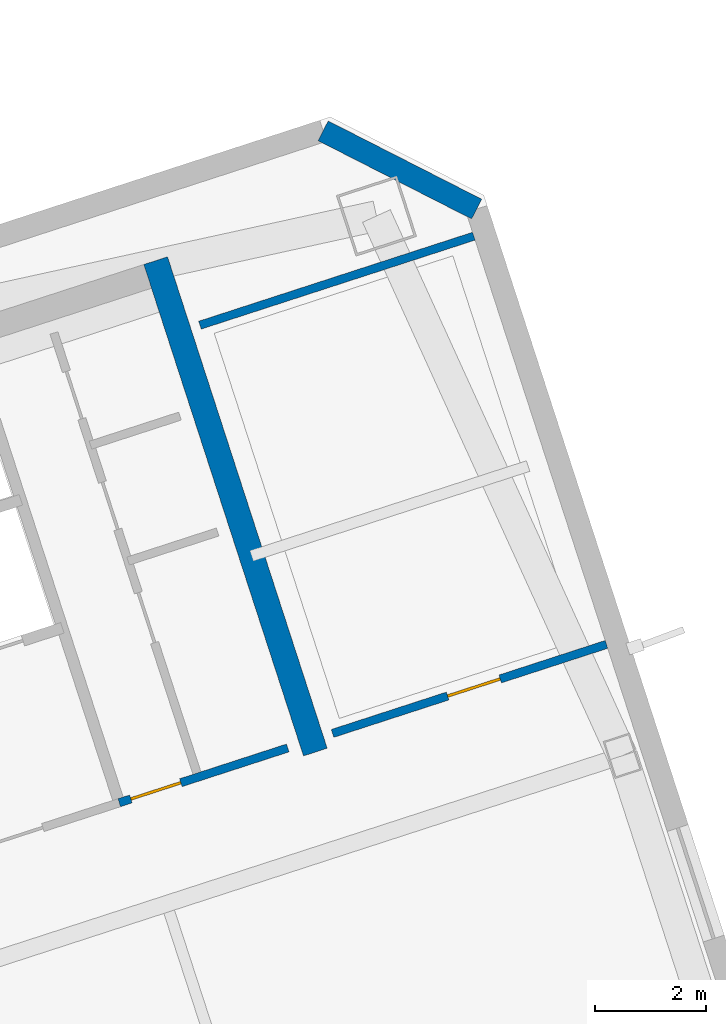
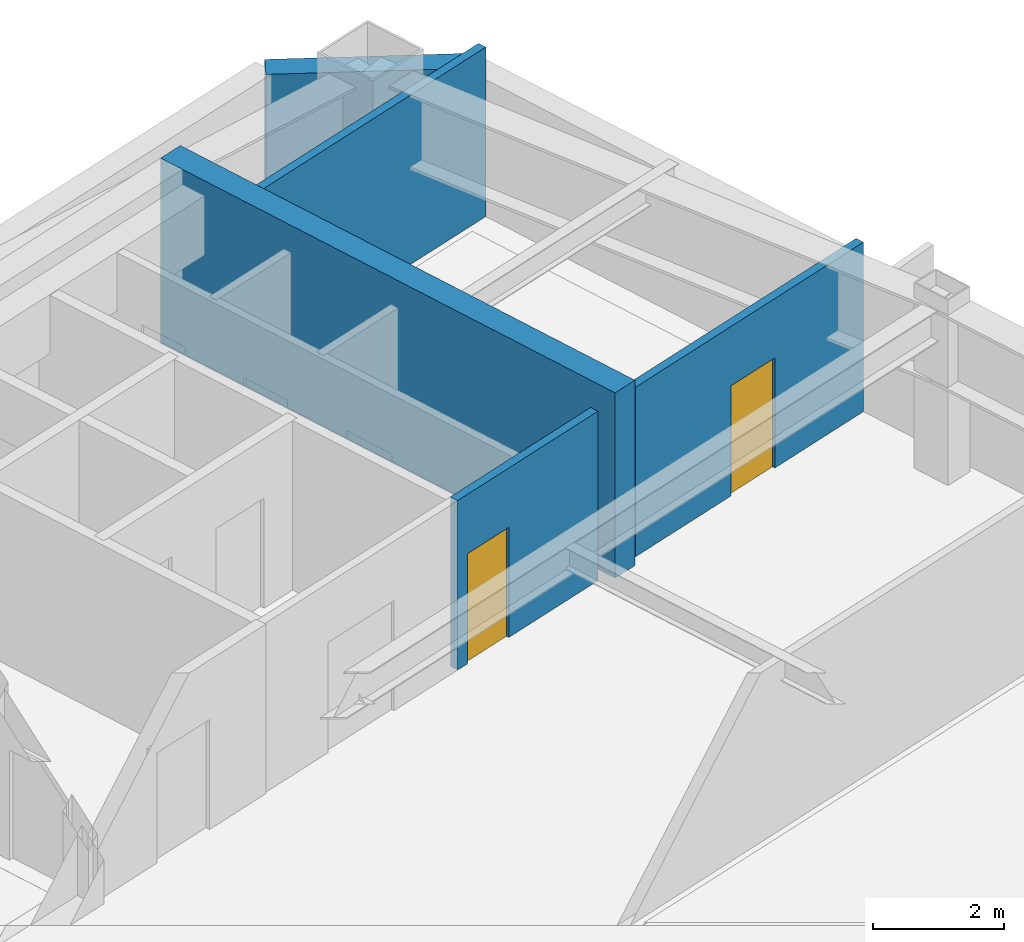
# One storey, part 11 of 19: 5 walls, 2 doors, 2 openings.
"""IFC4 building model written with IfcOpenShell, lengths in metres."""

from ifc_helpers import new_model, si_unit, direction, frame, frame_2d, origin, place, context, subcontext, project, spatial, rectangle, extrude, material, layer, layer_set, type_object, element, fill, save


model = new_model("IFC4")

# Units and contexts
model_context = context("Model", 3, precision=1e-05, world=origin(), true_north=direction((0.0, 1.0)))
body_context = subcontext(model_context, "Body", "Model", "MODEL_VIEW")
ifc_project = project(units=[si_unit("LENGTHUNIT", "METRE"), si_unit("AREAUNIT", "SQUARE_METRE"), si_unit("VOLUMEUNIT", "CUBIC_METRE"), si_unit("PLANEANGLEUNIT", "RADIAN"), si_unit("MASSUNIT", "GRAM", prefix="KILO")], contexts=[model_context])

# Site, building, storey
site_placement = place(None, origin())
site = spatial("IfcSite", under=ifc_project, at=site_placement, CompositionType="ELEMENT")
building_placement = place(site_placement, origin())
building = spatial("IfcBuilding", under=site, at=building_placement, Name="Qiaolan Cultural Towers", CompositionType="ELEMENT")
storey_placement = place(building_placement, frame((0.0, 0.0, 216.199951171875)))
storey = spatial("IfcBuildingStorey", under=building, at=storey_placement, Name="L58", CompositionType="ELEMENT", Elevation=216.199951171875)

# Walls
ifc_material_1 = material(Name="Concrete C50", Category="concrete")
ifc_layer_1 = layer(ifc_material_1, 0.449951171875)
ifc_layer_set_1 = layer_set([ifc_layer_1], Name="Concrete C50")
wall_type_1 = type_object("IfcWallType", Name="WL-CORE-450", PredefinedType="SHEAR", material=ifc_layer_set_1)
wall_1_placement = place(storey_placement, frame((94.468994140625, 46.781494140625, 0.0), z_axis=(0.0, 0.0, 1.0), x_axis=(-0.309004419953, 0.951060601881, 0.0)))
element("IfcWall", 1, at=wall_1_placement, inside=storey, type_object=wall_type_1, Name="L58 T2-CN East Core Shear Wall", PredefinedType="SHEAR", context=body_context, shape_type="SweptSolid", body=[
    extrude(rectangle(XDim=9.330078125, YDim=0.449951171875, at=frame_2d((4.6650390625, 0.0))), origin(), (0.0, 0.0, 1.0), 3.449951171875),
])
ifc_material_2 = material(Name="Precast Concrete C50 Honed Stone Pier", Category="masonry")
ifc_layer_2 = layer(ifc_material_2, 0.39990234375)
ifc_layer_set_2 = layer_set([ifc_layer_2], Name="Precast Concrete C50 Honed Stone Pier")
wall_type_2 = type_object("IfcWallType", Name="WL-EXT-PIER-400", PredefinedType="SOLIDWALL", material=ifc_layer_set_2)
wall_2_placement = place(storey_placement, frame((94.609619140625, 57.9990234375, 0.0), z_axis=(0.0, 0.0, 1.0), x_axis=(0.890979603174, -0.454043331334, 0.0)))
element("IfcWall", 2, at=wall_2_placement, inside=storey, type_object=wall_type_2, Name="L58 East Tower Precast Pier Facade Wall F4", PredefinedType="SOLIDWALL", context=body_context, shape_type="SweptSolid", body=[
    extrude(rectangle(XDim=3.111083984375, YDim=0.39990234375, at=frame_2d((1.5556640625, 0.0))), origin(), (0.0, 0.0, 1.0), 2.550048828125),
])

# Wall, opening, door
ifc_material_3 = material(Name="Autoclaved Aerated Concrete Block B06", Category="concrete")
ifc_layer_3 = layer(ifc_material_3, 0.14990234375)
ifc_layer_set_3 = layer_set([ifc_layer_3], Name="Autoclaved Aerated Concrete Block B06")
wall_type_3 = type_object("IfcWallType", Name="WL-PART-150", PredefinedType="PARTITIONING", material=ifc_layer_set_3)
wall_3_placement = place(storey_placement, frame((90.92822265625, 45.86767578125, 0.0), z_axis=(0.0, 0.0, 1.0), x_axis=(0.951059297078, 0.309008435874, 0.0)))
wall_3 = element("IfcWall", 3, at=wall_3_placement, inside=storey, type_object=wall_type_3, Name="L58 T2-CN Sanitary Core Front Wall", PredefinedType="PARTITIONING", context=body_context, shape_type="SweptSolid", body=[
    extrude(rectangle(XDim=3.19970703125, YDim=0.14990234375, at=frame_2d((1.599853515625, 0.0))), origin(), (0.0, 0.0, 1.0), 3.155029296875),
])
opening_1_placement = place(wall_3_placement, frame((0.219970703125, 0.0, 0.0)))
opening_1 = element("IfcOpeningElement", 4, at=opening_1_placement, cuts=wall_3, Name="Opening ID-05", PredefinedType="OPENING", context=body_context, shape_type="SweptSolid", body=[
    extrude(rectangle(XDim=0.949951171875, YDim=2.050048828125, at=frame_2d((0.47509765625, 1.02490234375))), frame((0.0, 0.0849609375, 0.0), z_axis=(0.0, -1.0, 0.0), x_axis=(1.0, 0.0, 0.0)), (0.0, 0.0, 1.0), 0.169921875),
])
ifc_material_4 = material(Name="Fire-Rated Laminate Accessible Core Door", Category="timber")
door_type_1 = type_object("IfcDoorType", Name="DR-INT-950", OperationType="NOTDEFINED", PredefinedType="DOOR", material=ifc_material_4)
door_1_placement = place(opening_1_placement, origin())
door_1 = element("IfcDoor", 5, at=door_1_placement, inside=storey, type_object=door_type_1, Name="L58 Sanitary Vestibule Door", OperationType="SINGLE_SWING_LEFT", OverallHeight=2.050048828125, OverallWidth=0.949951171875, PredefinedType="DOOR", context=body_context, shape_type="SweptSolid", body=[
    extrude(rectangle(XDim=0.949951171875, YDim=2.050048828125, at=frame_2d((0.47509765625, 1.02490234375))), frame((0.0, 0.02490234375, 0.0), z_axis=(0.0, -1.0, 0.0), x_axis=(1.0, 0.0, 0.0)), (0.0, 0.0, 1.0), 0.050048828125),
])
fill(opening_1, door_1)

# Wall
wall_4_placement = place(storey_placement, frame((92.385009765625, 54.48974609375, 0.0), z_axis=(0.0, 0.0, 1.0), x_axis=(0.951055112834, 0.309021313752, 0.0)))
element("IfcWall", 6, at=wall_4_placement, inside=storey, type_object=wall_type_3, Name="L58 T2 Flank Wall FLK-NE", PredefinedType="PARTITIONING", context=body_context, shape_type="SweptSolid", body=[
    extrude(rectangle(XDim=5.2001953125, YDim=0.14990234375, at=frame_2d((2.60009765625, 0.0))), origin(), (0.0, 0.0, 1.0), 3.155029296875),
])

# Wall, opening, door
wall_5_placement = place(storey_placement, frame((94.77978515625, 47.119140625, 0.0), z_axis=(0.0, 0.0, 1.0), x_axis=(0.951055112834, 0.309021313752, 0.0)))
wall_5 = element("IfcWall", 7, at=wall_5_placement, inside=storey, type_object=wall_type_3, Name="L58 T2 Flank Front FLK-NE", PredefinedType="PARTITIONING", context=body_context, shape_type="SweptSolid", body=[
    extrude(rectangle(XDim=5.2001953125, YDim=0.14990234375, at=frame_2d((2.60009765625, 0.0))), origin(), (0.0, 0.0, 1.0), 3.155029296875),
])
opening_2_placement = place(wall_5_placement, frame((2.18408203125, 0.0, 0.0)))
opening_2 = element("IfcOpeningElement", 8, at=opening_2_placement, cuts=wall_5, Name="Opening ID-04", PredefinedType="OPENING", context=body_context, shape_type="SweptSolid", body=[
    extrude(rectangle(XDim=1.0, YDim=2.050048828125, at=frame_2d((0.5, 1.02490234375))), frame((0.0, 0.0849609375, 0.0), z_axis=(0.0, -1.0, 0.0), x_axis=(1.0, 0.0, 0.0)), (0.0, 0.0, 1.0), 0.169921875),
])
ifc_material_5 = material(Name="Oak Veneer Acoustic Office Door", Category="timber")
door_type_2 = type_object("IfcDoorType", Name="DR-INT-1000", OperationType="NOTDEFINED", PredefinedType="DOOR", material=ifc_material_5)
door_2_placement = place(opening_2_placement, origin())
door_2 = element("IfcDoor", 9, at=door_2_placement, inside=storey, type_object=door_type_2, Name="L58 T2 Corner Studio Door", OperationType="SINGLE_SWING_LEFT", OverallHeight=2.050048828125, OverallWidth=1.0, PredefinedType="DOOR", context=body_context, shape_type="SweptSolid", body=[
    extrude(rectangle(XDim=1.0, YDim=2.050048828125, at=frame_2d((0.5, 1.02490234375))), frame((0.0, 0.02490234375, 0.0), z_axis=(0.0, -1.0, 0.0), x_axis=(1.0, 0.0, 0.0)), (0.0, 0.0, 1.0), 0.050048828125),
])
fill(opening_2, door_2)

save(model, "model.ifc")
